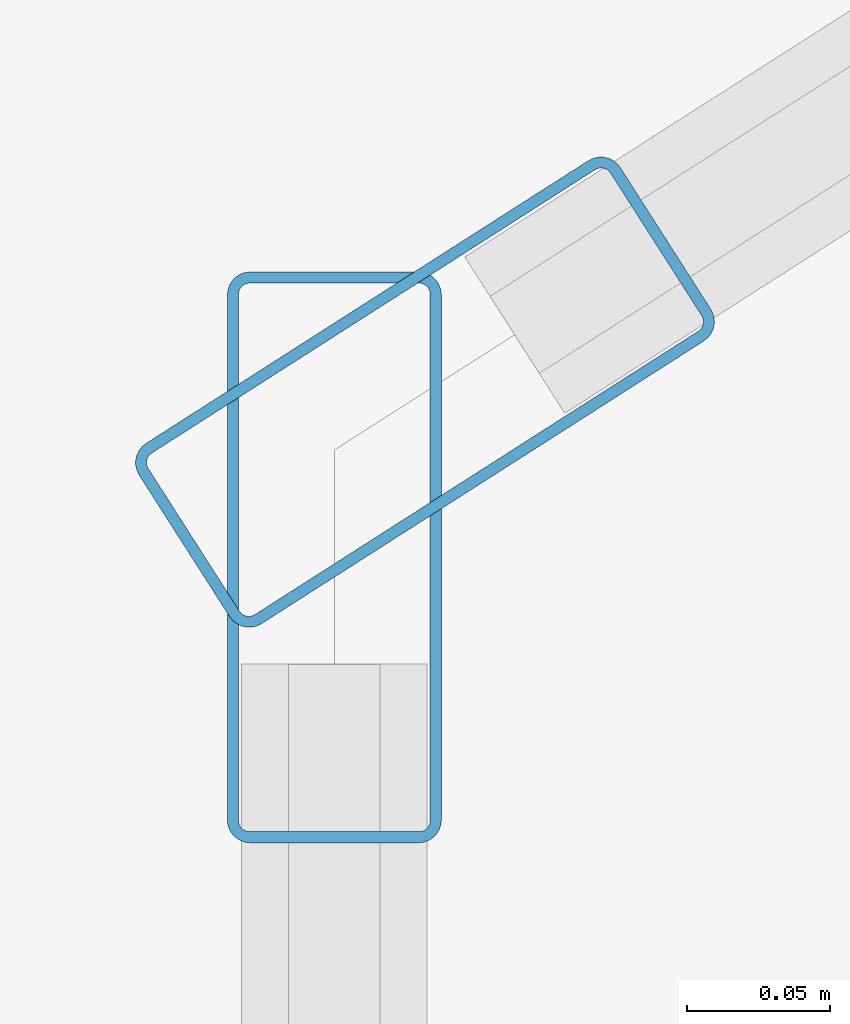
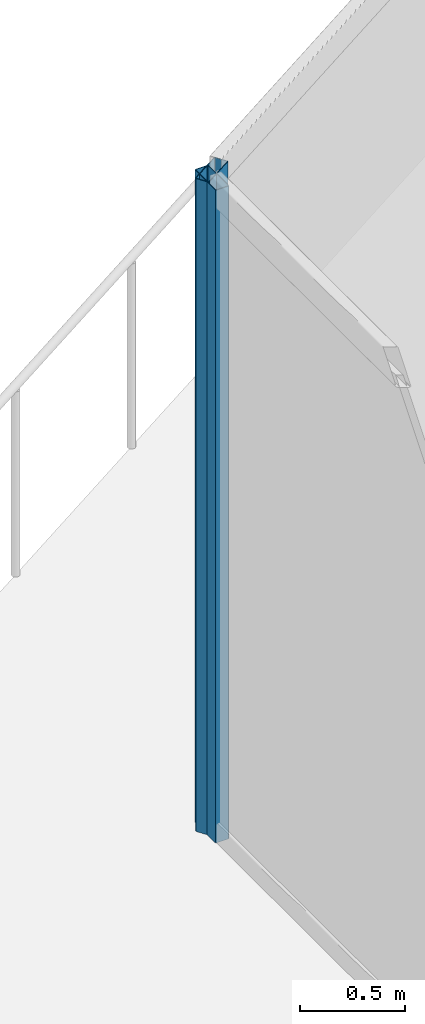
# One storey, part 6 of 43: 2 members, 2 elements without a shape of their own.
"""IFC4 building model written with IfcOpenShell, lengths in metres."""

from ifc_helpers import new_model, si_unit, direction, frame, origin, origin_2d, place, context, subcontext, project, spatial, hollow_rectangle, extrude, material, layer, layer_set, material_profile, profile_set, type_object, element, aggregate, save


model = new_model("IFC4")

# Units and contexts
model_context = context("Model", 3, precision=1e-05, world=origin(), true_north=direction((0.0, 1.0)))
body_context = subcontext(model_context, "Body", "Model", "MODEL_VIEW")
ifc_project = project(units=[si_unit("LENGTHUNIT", "METRE"), si_unit("AREAUNIT", "SQUARE_METRE"), si_unit("VOLUMEUNIT", "CUBIC_METRE"), si_unit("PLANEANGLEUNIT", "RADIAN"), si_unit("MASSUNIT", "GRAM", prefix="KILO")], contexts=[model_context])

# Site, building, storey
site_placement = place(None, origin())
site = spatial("IfcSite", under=ifc_project, at=site_placement, CompositionType="ELEMENT")
building_placement = place(site_placement, origin())
building = spatial("IfcBuilding", under=site, at=building_placement, Name="Qorvath Tower", CompositionType="ELEMENT")
storey_placement = place(building_placement, frame((0.0, 0.0, 150.300048828125)))
storey = spatial("IfcBuildingStorey", under=building, at=storey_placement, Name="L34", CompositionType="ELEMENT", Elevation=150.300048828125)

# Curtain wall, member
ifc_material_1 = material(Name="Anodised aluminium and triple low-E glass", Category="aluminium")
ifc_layer = layer(ifc_material_1, 0.179931640625)
ifc_layer_set = layer_set([ifc_layer], Name="CW-SYS-5")
curtain_wall_type = type_object("IfcCurtainWallType", Name="CW-SYS-5", PredefinedType="NOTDEFINED", material=ifc_layer_set)
curtain_wall_1_placement = place(storey_placement, origin())
curtain_wall_1 = element("IfcCurtainWall", 1, at=curtain_wall_1_placement, inside=storey, type_object=curtain_wall_type, Name="Curtain Wall CW-5 CW-T-L34-16.1", PredefinedType="NOTDEFINED")
ifc_material_2 = material(Name="Anodised aluminium 6063-T6", Category="aluminium")
ifc_material_profile = material_profile(ifc_material_2, hollow_rectangle(XDim=0.074951171875, YDim=0.199951171875, WallThickness=0.00390625, InnerFilletRadius=0.00390625, OuterFilletRadius=0.008056640625, at=origin_2d()), Name="CWM 200x75")
ifc_profile_set = profile_set([ifc_material_profile], Name="Anodised aluminium 6063-T6")
member_type = type_object("IfcMemberType", Name="CWM-200", PredefinedType="MULLION", material=ifc_profile_set)
member_1_placement = place(storey_placement, frame((-56.652099609375, 3.723388671875, 0.0), z_axis=(0.0, 0.0, 1.0), x_axis=(0.538535404822, -0.842602882592, 0.0)))
member_1 = element("IfcMember", 2, at=member_1_placement, type_object=member_type, Name="CW-5 mullion 10", PredefinedType="MULLION", context=body_context, shape_type="SweptSolid", body=[
    extrude(hollow_rectangle(XDim=0.074951171875, YDim=0.199951171875, WallThickness=0.00390625, InnerFilletRadius=0.00390625, OuterFilletRadius=0.008056640625, at=origin_2d()), origin(), (0.0, 0.0, 1.0), 3.780029296875),
])
aggregate(curtain_wall_1, [member_1])

curtain_wall_2_placement = place(storey_placement, origin())
curtain_wall_2 = element("IfcCurtainWall", 3, at=curtain_wall_2_placement, inside=storey, type_object=curtain_wall_type, Name="Curtain Wall CW-5 CW-T-L34-17.1", PredefinedType="NOTDEFINED")
member_2_placement = place(storey_placement, frame((-56.683837890625, 3.66552734375, 0.0), z_axis=(0.0, 0.0, 1.0), x_axis=(1.0, 0.0, 0.0)))
member_2 = element("IfcMember", 4, at=member_2_placement, type_object=member_type, Name="CW-5 mullion 1", PredefinedType="MULLION", context=body_context, shape_type="SweptSolid", body=[
    extrude(hollow_rectangle(XDim=0.074951171875, YDim=0.199951171875, WallThickness=0.00390625, InnerFilletRadius=0.00390625, OuterFilletRadius=0.008056640625, at=origin_2d()), origin(), (0.0, 0.0, 1.0), 3.780029296875),
])
aggregate(curtain_wall_2, [member_2])

save(model, "model.ifc")
